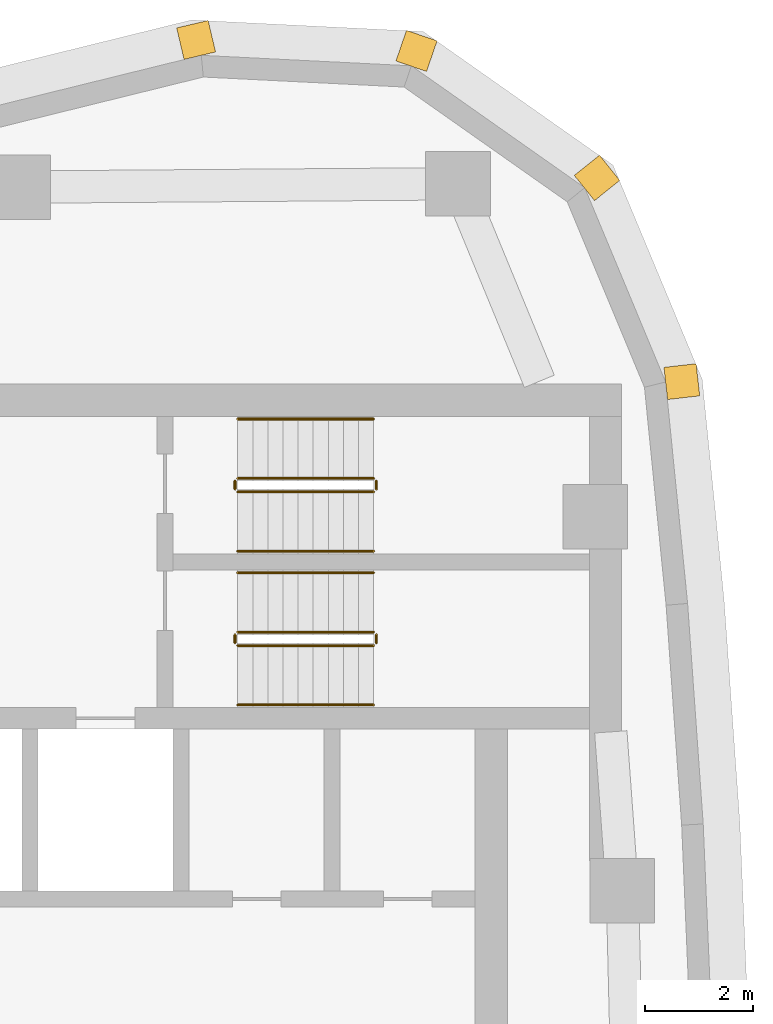
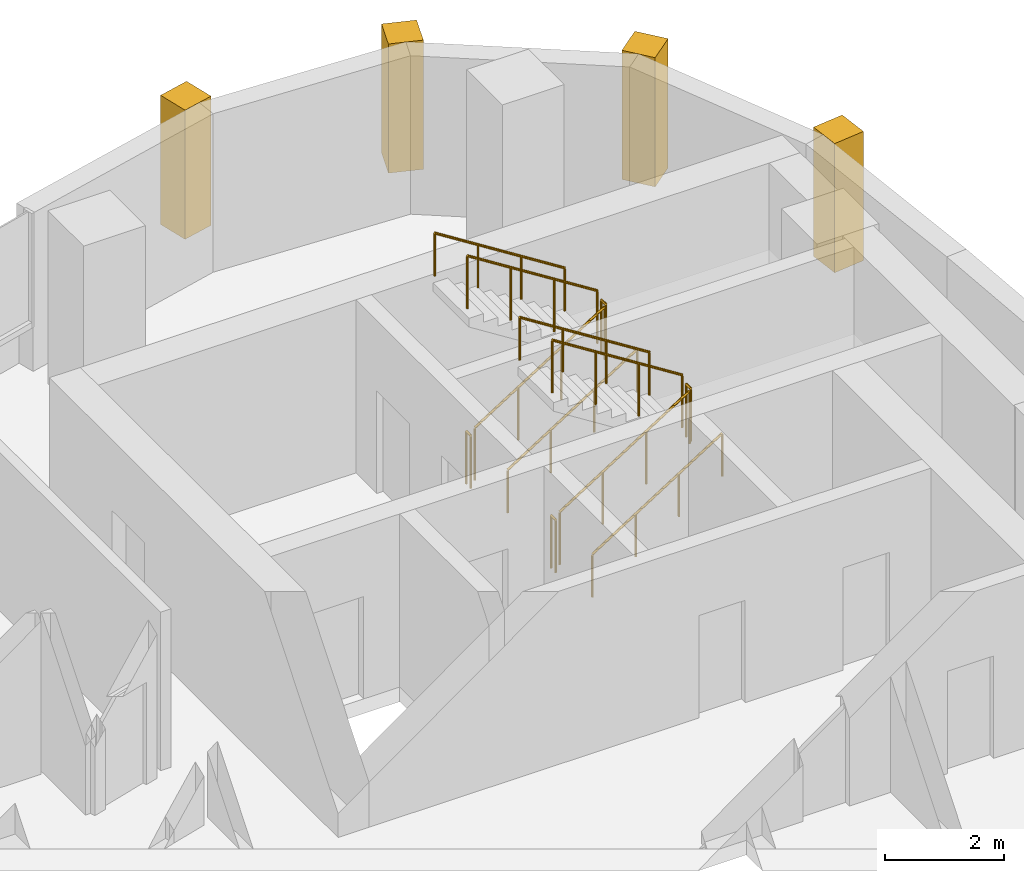
# One storey, part 16 of 16: 12 railings, 4 coverings.
"""IFC4 building model written with IfcOpenShell, lengths in metres."""

from ifc_helpers import new_model, si_unit, direction, frame, frame_2d, origin, origin_2d, place, context, subcontext, project, spatial, rectangle, circle, extrude, material, layer, layer_set, type_object, element, save


model = new_model("IFC4")

# Units and contexts
model_context = context("Model", 3, precision=1e-05, world=origin(), true_north=direction((0.0, 1.0)))
body_context = subcontext(model_context, "Body", "Model", "MODEL_VIEW")
ifc_project = project(units=[si_unit("LENGTHUNIT", "METRE"), si_unit("AREAUNIT", "SQUARE_METRE"), si_unit("VOLUMEUNIT", "CUBIC_METRE"), si_unit("PLANEANGLEUNIT", "RADIAN"), si_unit("MASSUNIT", "GRAM", prefix="KILO")], contexts=[model_context])

# Site, building, storey
site_placement = place(None, origin())
site = spatial("IfcSite", under=ifc_project, at=site_placement, CompositionType="ELEMENT")
building_placement = place(site_placement, origin())
building = spatial("IfcBuilding", under=site, at=building_placement, Name="Ostrand Prow Hotel Tower", CompositionType="ELEMENT")
storey_placement = place(building_placement, frame((0.0, 0.0, 249.199951171875)))
storey = spatial("IfcBuildingStorey", under=building, at=storey_placement, Name="L63", CompositionType="ELEMENT", Elevation=249.199951171875)

# Coverings
ifc_material_1 = material(Name="Limestone cladding", Category="masonry")
ifc_layer = layer(ifc_material_1, 0.60009765625)
ifc_layer_set = layer_set([ifc_layer], Name="Limestone cladding")
covering_type = type_object("IfcCoveringType", Name="Precast stone prow rib 600x600", PredefinedType="CLADDING", material=ifc_layer_set)
for number, where, z_axis, x_axis, name in (
    (1, (65.13623046875, 16.35986328125, 0.60009765625), (0.0, 0.0, 1.0), (0.993628058569, 0.112708833834, 0.0), "Stone corner rib 13a"),
    (2, (63.62744140625, 19.98291015625, 0.60009765625), (0.0, 0.0, 1.0), (0.779994736518, 0.625786074473, 0.0), "Stone corner rib 14a"),
    (3, (60.417236328125, 22.240966796875, 0.60009765625), (0.0, 0.0, 1.0), (0.325489086777, 0.945545797087, 0.0), "Stone corner rib 15a"),
    (4, (56.49755859375, 22.436279296875, 0.60009765625), (0.0, 0.0, 1.0), (-0.229878322855, 0.973219377469, 0.0), "Stone corner rib 15b"),
):
    element("IfcCovering", number, at=place(storey_placement, frame(where, z_axis=z_axis, x_axis=x_axis)), inside=storey, type_object=covering_type, Name=name, PredefinedType="CLADDING", context=body_context, shape_type="SweptSolid", body=[
        extrude(rectangle(XDim=0.60009765625, YDim=0.60009765625, at=frame_2d((0.300048828125, 0.0))), origin(), (0.0, 0.0, 1.0), 2.64990234375),
    ])

# Railings
ifc_material_2 = material(Name="Painted steel", Category="steel")
railing_type_1 = type_object("IfcRailingType", Name="Stair guard 1100", PredefinedType="GUARDRAIL", material=ifc_material_2)
railing_1_placement = place(storey_placement, frame((57.199951171875, 11.5, 0.177490234375)))
element("IfcRailing", 5, at=railing_1_placement, inside=storey, type_object=railing_type_1, Name="L63 ST1C stair guard 1", PredefinedType="GUARDRAIL", context=body_context, shape_type="SweptSolid", body=[
    extrude(circle(Radius=0.02392578125, at=origin_2d()), frame((0.0, 0.0, 1.076171875), z_axis=(0.84456994832, 0.0, 0.535445237532), x_axis=(0.0, 1.0, 0.0)), (0.0, 0.0, 1.0), 2.98388671875),
    extrude(circle(Radius=0.02099609375, at=origin_2d()), origin(), (0.0, 0.0, 1.0), 1.052001953125),
    extrude(circle(Radius=0.02099609375, at=origin_2d()), frame((0.840087890625, 0.0, 0.532470703125)), (0.0, 0.0, 1.0), 1.052001953125),
    extrude(circle(Radius=0.02099609375, at=origin_2d()), frame((1.679931640625, 0.0, 1.065185546875)), (0.0, 0.0, 1.0), 1.052001953125),
    extrude(circle(Radius=0.02099609375, at=origin_2d()), frame((2.52001953125, 0.0, 1.59765625)), (0.0, 0.0, 1.0), 1.052001953125),
])
railing_2_placement = place(storey_placement, frame((59.77001953125, 11.550048828125, 1.775146484375)))
element("IfcRailing", 6, at=railing_2_placement, inside=storey, type_object=railing_type_1, Name="L63 ST1C stair guard 2", PredefinedType="GUARDRAIL", context=body_context, shape_type="SweptSolid", body=[
    extrude(circle(Radius=0.02392578125, at=origin_2d()), frame((0.0, 0.0, 1.076171875), z_axis=(0.0, 1.0, 0.0), x_axis=(-1.0, 0.0, 0.0)), (0.0, 0.0, 1.0), 0.14990234375),
    extrude(circle(Radius=0.02099609375, at=origin_2d()), origin(), (0.0, 0.0, 1.0), 1.052001953125),
    extrude(circle(Radius=0.02099609375, at=origin_2d()), frame((0.0, 0.14990234375, 0.0)), (0.0, 0.0, 1.0), 1.052001953125),
])
railing_3_placement = place(storey_placement, frame((59.719970703125, 11.75, 1.95263671875)))
element("IfcRailing", 7, at=railing_3_placement, inside=storey, type_object=railing_type_1, Name="L63 ST1C stair guard 3", PredefinedType="GUARDRAIL", context=body_context, shape_type="SweptSolid", body=[
    extrude(circle(Radius=0.02392578125, at=origin_2d()), frame((0.0, 0.0, 1.076171875), z_axis=(-0.84460694969, 0.0, 0.535386869969), x_axis=(0.0, -1.0, 0.0)), (0.0, 0.0, 1.0), 2.983642578125),
    extrude(circle(Radius=0.02099609375, at=origin_2d()), origin(), (0.0, 0.0, 1.0), 1.052001953125),
    extrude(circle(Radius=0.02099609375, at=origin_2d()), frame((-0.840087890625, 0.0, 0.532470703125)), (0.0, 0.0, 1.0), 1.052001953125),
    extrude(circle(Radius=0.02099609375, at=origin_2d()), frame((-1.679931640625, 0.0, 1.06494140625)), (0.0, 0.0, 1.0), 1.052001953125),
    extrude(circle(Radius=0.02099609375, at=origin_2d()), frame((-2.52001953125, 0.0, 1.597412109375)), (0.0, 0.0, 1.0), 1.052001953125),
])
railing_4_placement = place(storey_placement, frame((57.14990234375, 11.550048828125, 0.0)))
element("IfcRailing", 8, at=railing_4_placement, inside=storey, type_object=railing_type_1, Name="L63 ST1C stair guard 4", PredefinedType="GUARDRAIL", context=body_context, shape_type="SweptSolid", body=[
    extrude(circle(Radius=0.02392578125, at=origin_2d()), frame((0.0, 0.0, 1.076171875), z_axis=(0.0, 1.0, 0.0), x_axis=(-1.0, 0.0, 0.0)), (0.0, 0.0, 1.0), 0.14990234375),
    extrude(circle(Radius=0.02099609375, at=origin_2d()), origin(), (0.0, 0.0, 1.0), 1.052001953125),
    extrude(circle(Radius=0.02099609375, at=origin_2d()), frame((0.0, 0.14990234375, 0.0)), (0.0, 0.0, 1.0), 1.052001953125),
])
railing_5_placement = place(storey_placement, frame((57.199951171875, 14.35009765625, 0.177490234375)))
element("IfcRailing", 9, at=railing_5_placement, inside=storey, type_object=railing_type_1, Name="L63 ST3C stair guard 1", PredefinedType="GUARDRAIL", context=body_context, shape_type="SweptSolid", body=[
    extrude(circle(Radius=0.02392578125, at=origin_2d()), frame((0.0, 0.0, 1.076171875), z_axis=(0.84456994832, 0.0, 0.535445237532), x_axis=(0.0, 1.0, 0.0)), (0.0, 0.0, 1.0), 2.98388671875),
    extrude(circle(Radius=0.02099609375, at=origin_2d()), origin(), (0.0, 0.0, 1.0), 1.052001953125),
    extrude(circle(Radius=0.02099609375, at=origin_2d()), frame((0.840087890625, 0.0, 0.532470703125)), (0.0, 0.0, 1.0), 1.052001953125),
    extrude(circle(Radius=0.02099609375, at=origin_2d()), frame((1.679931640625, 0.0, 1.065185546875)), (0.0, 0.0, 1.0), 1.052001953125),
    extrude(circle(Radius=0.02099609375, at=origin_2d()), frame((2.52001953125, 0.0, 1.59765625)), (0.0, 0.0, 1.0), 1.052001953125),
])
railing_6_placement = place(storey_placement, frame((59.77001953125, 14.39990234375, 1.775146484375)))
element("IfcRailing", 10, at=railing_6_placement, inside=storey, type_object=railing_type_1, Name="L63 ST3C stair guard 2", PredefinedType="GUARDRAIL", context=body_context, shape_type="SweptSolid", body=[
    extrude(circle(Radius=0.02392578125, at=origin_2d()), frame((0.0, 0.0, 1.076171875), z_axis=(0.0, 1.0, 0.0), x_axis=(-1.0, 0.0, 0.0)), (0.0, 0.0, 1.0), 0.150146484375),
    extrude(circle(Radius=0.02099609375, at=origin_2d()), origin(), (0.0, 0.0, 1.0), 1.052001953125),
    extrude(circle(Radius=0.02099609375, at=origin_2d()), frame((0.0, 0.150146484375, 0.0)), (0.0, 0.0, 1.0), 1.052001953125),
])
railing_7_placement = place(storey_placement, frame((59.719970703125, 14.60009765625, 1.95263671875)))
element("IfcRailing", 11, at=railing_7_placement, inside=storey, type_object=railing_type_1, Name="L63 ST3C stair guard 3", PredefinedType="GUARDRAIL", context=body_context, shape_type="SweptSolid", body=[
    extrude(circle(Radius=0.02392578125, at=origin_2d()), frame((0.0, 0.0, 1.076171875), z_axis=(-0.84460694969, 0.0, 0.535386869969), x_axis=(0.0, -1.0, 0.0)), (0.0, 0.0, 1.0), 2.983642578125),
    extrude(circle(Radius=0.02099609375, at=origin_2d()), origin(), (0.0, 0.0, 1.0), 1.052001953125),
    extrude(circle(Radius=0.02099609375, at=origin_2d()), frame((-0.840087890625, 0.0, 0.532470703125)), (0.0, 0.0, 1.0), 1.052001953125),
    extrude(circle(Radius=0.02099609375, at=origin_2d()), frame((-1.679931640625, 0.0, 1.06494140625)), (0.0, 0.0, 1.0), 1.052001953125),
    extrude(circle(Radius=0.02099609375, at=origin_2d()), frame((-2.52001953125, 0.0, 1.597412109375)), (0.0, 0.0, 1.0), 1.052001953125),
])
railing_8_placement = place(storey_placement, frame((57.14990234375, 14.39990234375, 0.0)))
element("IfcRailing", 12, at=railing_8_placement, inside=storey, type_object=railing_type_1, Name="L63 ST3C stair guard 4", PredefinedType="GUARDRAIL", context=body_context, shape_type="SweptSolid", body=[
    extrude(circle(Radius=0.02392578125, at=origin_2d()), frame((0.0, 0.0, 1.076171875), z_axis=(0.0, 1.0, 0.0), x_axis=(-1.0, 0.0, 0.0)), (0.0, 0.0, 1.0), 0.150146484375),
    extrude(circle(Radius=0.02099609375, at=origin_2d()), origin(), (0.0, 0.0, 1.0), 1.052001953125),
    extrude(circle(Radius=0.02099609375, at=origin_2d()), frame((0.0, 0.150146484375, 0.0)), (0.0, 0.0, 1.0), 1.052001953125),
])
ifc_material_3 = material(Name="Stainless steel", Category="steel")
railing_type_2 = type_object("IfcRailingType", Name="Stair handrail 900", PredefinedType="HANDRAIL", material=ifc_material_3)
railing_9_placement = place(storey_placement, frame((57.199951171875, 10.39990234375, 0.177490234375)))
element("IfcRailing", 13, at=railing_9_placement, inside=storey, type_object=railing_type_2, Name="L63 ST1C stair handrail 1", PredefinedType="HANDRAIL", context=body_context, shape_type="SweptSolid", body=[
    extrude(circle(Radius=0.02392578125, at=origin_2d()), frame((0.0, 0.0, 0.8759765625), z_axis=(0.84456994832, 0.0, 0.535445237532), x_axis=(0.0, 1.0, 0.0)), (0.0, 0.0, 1.0), 2.98388671875),
    extrude(circle(Radius=0.02099609375, at=origin_2d()), origin(), (0.0, 0.0, 1.0), 0.851806640625),
    extrude(circle(Radius=0.02099609375, at=origin_2d()), frame((0.840087890625, 0.0, 0.532470703125)), (0.0, 0.0, 1.0), 0.851806640625),
    extrude(circle(Radius=0.02099609375, at=origin_2d()), frame((1.679931640625, 0.0, 1.065185546875)), (0.0, 0.0, 1.0), 0.851806640625),
    extrude(circle(Radius=0.02099609375, at=origin_2d()), frame((2.52001953125, 0.0, 1.59765625)), (0.0, 0.0, 1.0), 0.851806640625),
])
railing_10_placement = place(storey_placement, frame((59.719970703125, 12.85009765625, 1.95263671875)))
element("IfcRailing", 14, at=railing_10_placement, inside=storey, type_object=railing_type_2, Name="L63 ST1C stair handrail 2", PredefinedType="HANDRAIL", context=body_context, shape_type="SweptSolid", body=[
    extrude(circle(Radius=0.02392578125, at=origin_2d()), frame((0.0, 0.0, 0.8759765625), z_axis=(-0.84460694969, 0.0, 0.535386869969), x_axis=(0.0, -1.0, 0.0)), (0.0, 0.0, 1.0), 2.983642578125),
    extrude(circle(Radius=0.02099609375, at=origin_2d()), origin(), (0.0, 0.0, 1.0), 0.851806640625),
    extrude(circle(Radius=0.02099609375, at=origin_2d()), frame((-0.840087890625, 0.0, 0.532470703125)), (0.0, 0.0, 1.0), 0.851806640625),
    extrude(circle(Radius=0.02099609375, at=origin_2d()), frame((-1.679931640625, 0.0, 1.06494140625)), (0.0, 0.0, 1.0), 0.851806640625),
    extrude(circle(Radius=0.02099609375, at=origin_2d()), frame((-2.52001953125, 0.0, 1.597412109375)), (0.0, 0.0, 1.0), 0.851806640625),
])
railing_11_placement = place(storey_placement, frame((57.199951171875, 13.25, 0.177490234375)))
element("IfcRailing", 15, at=railing_11_placement, inside=storey, type_object=railing_type_2, Name="L63 ST3C stair handrail 1", PredefinedType="HANDRAIL", context=body_context, shape_type="SweptSolid", body=[
    extrude(circle(Radius=0.02392578125, at=origin_2d()), frame((0.0, 0.0, 0.8759765625), z_axis=(0.84456994832, 0.0, 0.535445237532), x_axis=(0.0, 1.0, 0.0)), (0.0, 0.0, 1.0), 2.98388671875),
    extrude(circle(Radius=0.02099609375, at=origin_2d()), origin(), (0.0, 0.0, 1.0), 0.851806640625),
    extrude(circle(Radius=0.02099609375, at=origin_2d()), frame((0.840087890625, 0.0, 0.532470703125)), (0.0, 0.0, 1.0), 0.851806640625),
    extrude(circle(Radius=0.02099609375, at=origin_2d()), frame((1.679931640625, 0.0, 1.065185546875)), (0.0, 0.0, 1.0), 0.851806640625),
    extrude(circle(Radius=0.02099609375, at=origin_2d()), frame((2.52001953125, 0.0, 1.59765625)), (0.0, 0.0, 1.0), 0.851806640625),
])
railing_12_placement = place(storey_placement, frame((59.719970703125, 15.699951171875, 1.95263671875)))
element("IfcRailing", 16, at=railing_12_placement, inside=storey, type_object=railing_type_2, Name="L63 ST3C stair handrail 2", PredefinedType="HANDRAIL", context=body_context, shape_type="SweptSolid", body=[
    extrude(circle(Radius=0.02392578125, at=origin_2d()), frame((0.0, 0.0, 0.8759765625), z_axis=(-0.84460694969, 0.0, 0.535386869969), x_axis=(0.0, -1.0, 0.0)), (0.0, 0.0, 1.0), 2.983642578125),
    extrude(circle(Radius=0.02099609375, at=origin_2d()), origin(), (0.0, 0.0, 1.0), 0.851806640625),
    extrude(circle(Radius=0.02099609375, at=origin_2d()), frame((-0.840087890625, 0.0, 0.532470703125)), (0.0, 0.0, 1.0), 0.851806640625),
    extrude(circle(Radius=0.02099609375, at=origin_2d()), frame((-1.679931640625, 0.0, 1.06494140625)), (0.0, 0.0, 1.0), 0.851806640625),
    extrude(circle(Radius=0.02099609375, at=origin_2d()), frame((-2.52001953125, 0.0, 1.597412109375)), (0.0, 0.0, 1.0), 0.851806640625),
])

save(model, "model.ifc")
